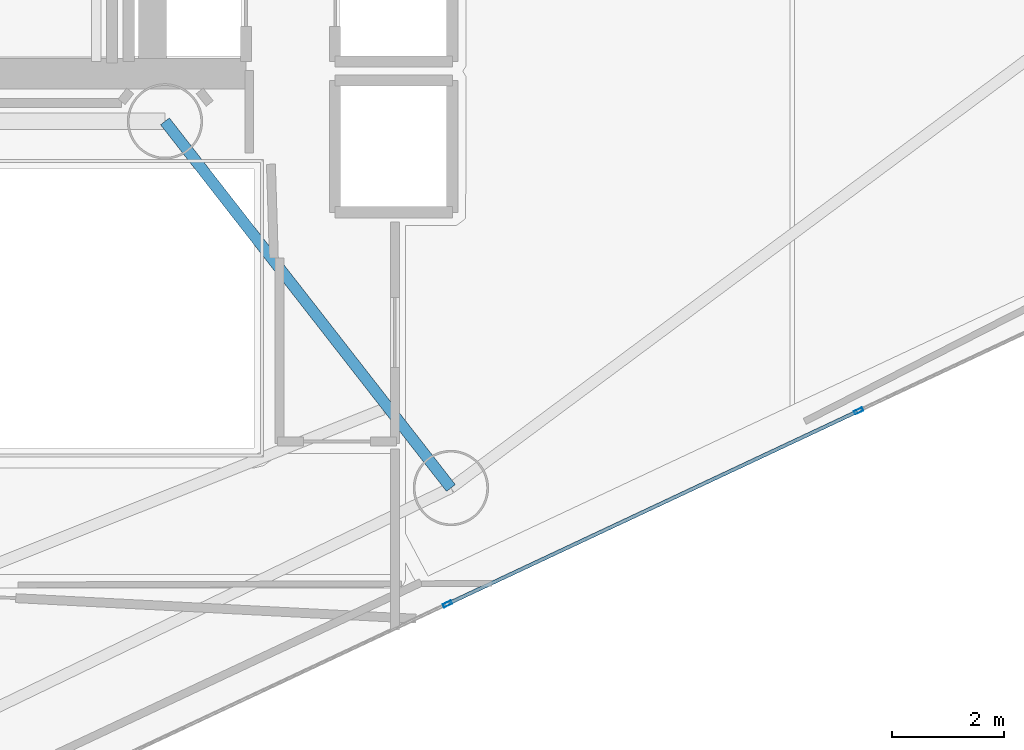
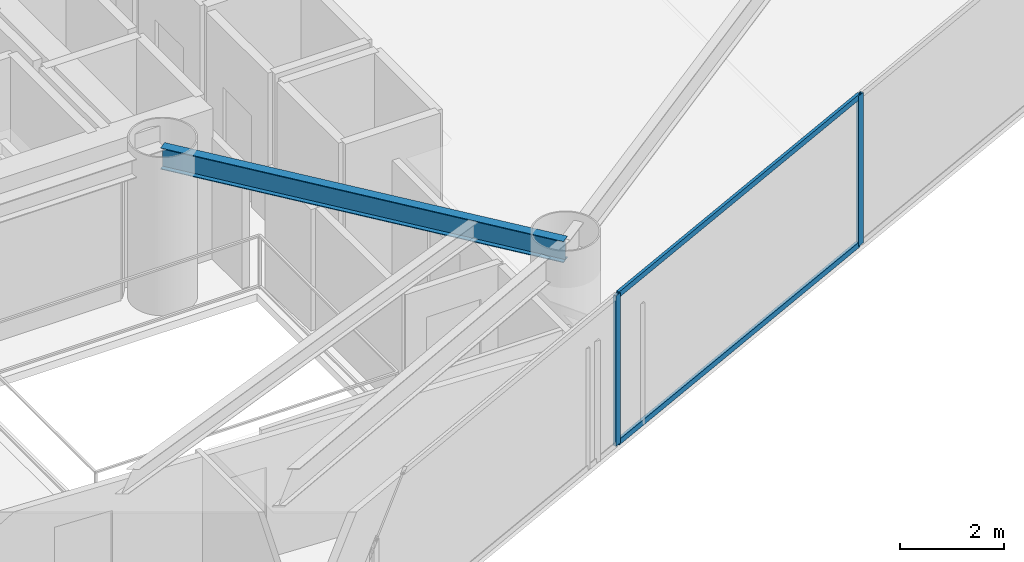
# One storey, part 6 of 20: 4 members, 1 beam, 1 element without a shape of its own.
"""IFC4 building model written with IfcOpenShell, lengths in metres."""

from ifc_helpers import new_model, si_unit, direction, frame, origin, origin_2d, place, context, subcontext, project, spatial, hollow_rectangle, i_section, extrude, material, layer, layer_set, material_profile, profile_set, type_object, element, aggregate, save


model = new_model("IFC4")

# Units and contexts
model_context = context("Model", 3, precision=1e-05, world=origin(), true_north=direction((0.0, 1.0)))
body_context = subcontext(model_context, "Body", "Model", "MODEL_VIEW")
ifc_project = project(units=[si_unit("LENGTHUNIT", "METRE"), si_unit("AREAUNIT", "SQUARE_METRE"), si_unit("VOLUMEUNIT", "CUBIC_METRE"), si_unit("PLANEANGLEUNIT", "RADIAN"), si_unit("MASSUNIT", "GRAM", prefix="KILO")], contexts=[model_context])

# Site, building, storey
site_placement = place(None, origin())
site = spatial("IfcSite", under=ifc_project, at=site_placement, CompositionType="ELEMENT")
building_placement = place(site_placement, origin())
building = spatial("IfcBuilding", under=site, at=building_placement, Name="Qianvela Tower", CompositionType="ELEMENT")
storey_placement = place(building_placement, frame((0.0, 0.0, 151.300048828125)))
storey = spatial("IfcBuildingStorey", under=building, at=storey_placement, Name="L38", CompositionType="ELEMENT", Elevation=151.300048828125)

# Beam
ifc_material_1 = material(Name="Steel Q355B", Category="steel")
ifc_material_profile_1 = material_profile(ifc_material_1, i_section(OverallWidth=0.199951171875, OverallDepth=0.5, WebThickness=0.010009765625, FlangeThickness=0.01611328125, at=origin_2d()), Name="HN500x200x10x16")
ifc_profile_set_1 = profile_set([ifc_material_profile_1], Name="Steel Q355B")
beam_type = type_object("IfcBeamType", Name="BM-HN500-GIRD", PredefinedType="BEAM", material=ifc_profile_set_1)
beam_placement = place(storey_placement, frame((38.39990234375, 23.85009765625, 3.26806640625), z_axis=(0.615000832816, -0.788526458424, 0.0), x_axis=(0.788526458424, 0.615000832816, 0.0)))
element("IfcBeam", 1, at=beam_placement, inside=storey, type_object=beam_type, Name="L38 Radial Primary Floor Girder 6", PredefinedType="BEAM", context=body_context, shape_type="SweptSolid", body=[
    extrude(i_section(OverallWidth=0.199951171875, OverallDepth=0.5, WebThickness=0.010009765625, FlangeThickness=0.01611328125, at=origin_2d()), origin(), (0.0, 0.0, 1.0), 8.333251953125),
])

# Curtain wall, members
ifc_material_2 = material(Name="Anodised Architectural Aluminium and Low-E Glass", Category="aluminium")
ifc_layer = layer(ifc_material_2, 0.169921875)
ifc_layer_set = layer_set([ifc_layer], Name="Anodised Architectural Aluminium and Low-E Glass")
curtain_wall_type = type_object("IfcCurtainWallType", Name="CW-COLIV-Z34", PredefinedType="USERDEFINED", material=ifc_layer_set)
curtain_wall_placement = place(storey_placement, origin())
curtain_wall = element("IfcCurtainWall", 2, at=curtain_wall_placement, inside=storey, type_object=curtain_wall_type, Name="L38 CW-COLIV-Z34 Curtain Wall 06B", ObjectType="CURTAIN_WALL_SYSTEM", PredefinedType="USERDEFINED")
ifc_material_3 = material(Name="Anodised Architectural Aluminium 6063-T6", Category="aluminium")
ifc_material_profile_2 = material_profile(ifc_material_3, hollow_rectangle(XDim=0.06494140625, YDim=0.159912109375, WallThickness=0.0048828125, at=origin_2d()), Name="ALU-MULL-65x160")
ifc_profile_set_2 = profile_set([ifc_material_profile_2], Name="Anodised Architectural Aluminium 6063-T6")
member_type_1 = type_object("IfcMemberType", Name="CW-COLIV-Z34-MULL", PredefinedType="MULLION", material=ifc_profile_set_2)
member_1_placement = place(storey_placement, frame((43.46142578125, 15.19970703125, 0.0), z_axis=(0.0, 0.0, 1.0), x_axis=(-0.425035294193, 0.905176777591, 0.0)))
member_1 = element("IfcMember", 3, at=member_1_placement, type_object=member_type_1, Name="CW-4 mullion 2", PredefinedType="MULLION", context=body_context, shape_type="SweptSolid", body=[
    extrude(hollow_rectangle(XDim=0.06494140625, YDim=0.159912109375, WallThickness=0.0048828125, at=origin_2d()), origin(), (0.0, 0.0, 1.0), 3.52001953125),
])
member_2_placement = place(storey_placement, frame((50.831787109375, 18.66064453125, 0.0), z_axis=(0.0, 0.0, 1.0), x_axis=(-0.425035294193, 0.905176777591, 0.0)))
member_2 = element("IfcMember", 4, at=member_2_placement, type_object=member_type_1, Name="CW-4 mullion 3", PredefinedType="MULLION", context=body_context, shape_type="SweptSolid", body=[
    extrude(hollow_rectangle(XDim=0.06494140625, YDim=0.159912109375, WallThickness=0.0048828125, at=origin_2d()), origin(), (0.0, 0.0, 1.0), 3.52001953125),
])
ifc_material_4 = material(Name="Anodised Architectural Aluminium 6063-T6", Category="aluminium")
ifc_material_profile_3 = material_profile(ifc_material_4, hollow_rectangle(XDim=0.06494140625, YDim=0.1298828125, WallThickness=0.00439453125, at=origin_2d()), Name="ALU-TRAN-65x130")
ifc_profile_set_3 = profile_set([ifc_material_profile_3], Name="Anodised Architectural Aluminium 6063-T6")
member_type_2 = type_object("IfcMemberType", Name="CW-COLIV-Z34-TRAN", PredefinedType="USERDEFINED", material=ifc_profile_set_3)
member_3_placement = place(storey_placement, frame((43.49072265625, 15.213623046875, 0.032470703125), z_axis=(0.905181417059, 0.425025413606, 0.0), x_axis=(-0.425025413606, 0.905181417059, 0.0)))
member_3 = element("IfcMember", 5, at=member_3_placement, type_object=member_type_2, Name="CW-4 transom 2.1", ObjectType="TRANSOM", PredefinedType="USERDEFINED", context=body_context, shape_type="SweptSolid", body=[
    extrude(hollow_rectangle(XDim=0.06494140625, YDim=0.1298828125, WallThickness=0.00439453125, at=origin_2d()), origin(), (0.0, 0.0, 1.0), 8.077392578125),
])
member_4_placement = place(storey_placement, frame((43.49072265625, 15.213623046875, 3.487548828125), z_axis=(0.905181417059, 0.425025413606, 0.0), x_axis=(-0.425025413606, 0.905181417059, 0.0)))
member_4 = element("IfcMember", 6, at=member_4_placement, type_object=member_type_2, Name="CW-4 transom 2.2", ObjectType="TRANSOM", PredefinedType="USERDEFINED", context=body_context, shape_type="SweptSolid", body=[
    extrude(hollow_rectangle(XDim=0.06494140625, YDim=0.1298828125, WallThickness=0.00439453125, at=origin_2d()), origin(), (0.0, 0.0, 1.0), 8.077392578125),
])
aggregate(curtain_wall, [member_1, member_2, member_3, member_4])

save(model, "model.ifc")
